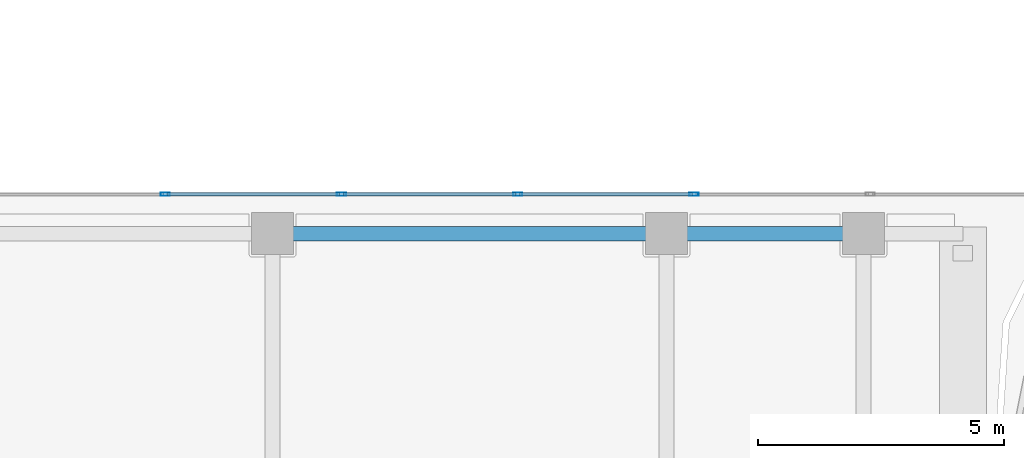
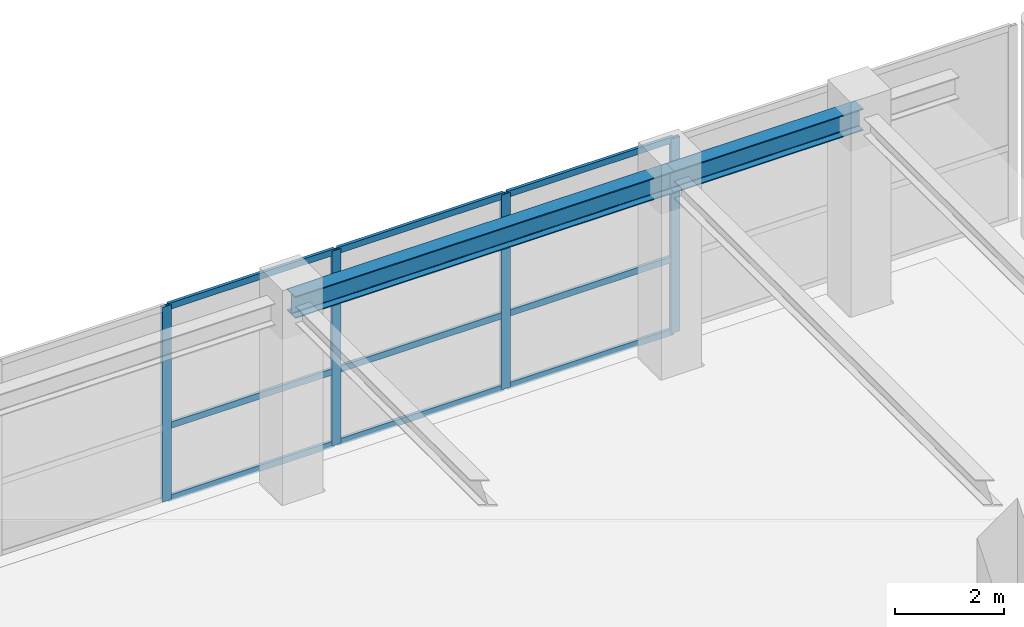
# One storey, part 22 of 44: 13 members, 2 beams, 1 element without a shape of its own.
"""IFC4 building model written with IfcOpenShell, lengths in metres."""

from ifc_helpers import new_model, si_unit, derived_unit, direction, frame, origin, origin_2d, place, context, subcontext, project, spatial, hollow_rectangle, i_section, extrude, source, transform, mapped, material, layer, layer_set, material_profile, profile_set, type_object, element, aggregate, save


model = new_model("IFC4")

# Units and contexts
model_context = context("Model", 3, precision=1e-05, world=origin(), true_north=direction((0.0, 1.0)))
body_context = subcontext(model_context, "Body", "Model", "MODEL_VIEW")
ifc_project = project(units=[si_unit("LENGTHUNIT", "METRE"), si_unit("AREAUNIT", "SQUARE_METRE"), si_unit("VOLUMEUNIT", "CUBIC_METRE"), si_unit("PLANEANGLEUNIT", "RADIAN"), si_unit("MASSUNIT", "GRAM", prefix="KILO"), derived_unit("THERMALTRANSMITTANCEUNIT", [(si_unit("POWERUNIT", "WATT"), 1), (si_unit("LENGTHUNIT", "METRE"), -2), (si_unit("THERMODYNAMICTEMPERATUREUNIT", "KELVIN"), -1)])], contexts=[model_context])

# Site, building, storey
site_placement = place(None, origin())
site = spatial("IfcSite", under=ifc_project, at=site_placement, CompositionType="ELEMENT")
building_placement = place(site_placement, origin())
building = spatial("IfcBuilding", under=site, at=building_placement, Name="Korsvarv Bourse and Concert Hall", CompositionType="ELEMENT")
storey_placement = place(building_placement, frame((0.0, 0.0, 9.60009765625)))
storey = spatial("IfcBuildingStorey", under=building, at=storey_placement, Name="L02", CompositionType="ELEMENT", Elevation=9.60009765625)

# Beams
ifc_material_1 = material(Name="Steel S355", Category="steel")
ifc_material_profile_1 = material_profile(ifc_material_1, i_section(OverallWidth=0.300048828125, OverallDepth=0.489990234375, WebThickness=0.011962890625, FlangeThickness=0.02294921875, FilletRadius=0.02392578125, at=origin_2d()), Name="HEA 500")
ifc_profile_set_1 = profile_set([ifc_material_profile_1], Name="Steel S355")
beam_type = type_object("IfcBeamType", Name="BM-HEA500", PredefinedType="BEAM", material=ifc_profile_set_1)
shared_shape_1 = source(origin(), body_context, "Body", "SweptSolid", [
    extrude(i_section(OverallWidth=0.300048828125, OverallDepth=0.489990234375, WebThickness=0.011962890625, FlangeThickness=0.02294921875, FilletRadius=0.02392578125, at=origin_2d()), origin(), (0.0, 0.0, 1.0), 8.0),
])
beam_1_placement = place(storey_placement, frame((75.5, 42.199951171875, 4.10498046875), z_axis=(1.0, 0.0, 0.0), x_axis=(0.0, 1.0, 0.0)))
element("IfcBeam", 1, at=beam_1_placement, inside=storey, type_object=beam_type, Name="L02 beam B-10", PredefinedType="BEAM", context=body_context, shape_type="MappedRepresentation", body=[
    mapped(shared_shape_1, transform((0.0, 0.0, 0.0), scale=1.0)),
])
shared_shape_2 = source(origin(), body_context, "Body", "SweptSolid", [
    extrude(i_section(OverallWidth=0.300048828125, OverallDepth=0.489990234375, WebThickness=0.011962890625, FlangeThickness=0.02294921875, FilletRadius=0.02392578125, at=origin_2d()), origin(), (0.0, 0.0, 1.0), 4.0),
])
beam_2_placement = place(storey_placement, frame((83.5, 42.199951171875, 4.10498046875), z_axis=(1.0, 0.0, 0.0), x_axis=(0.0, 1.0, 0.0)))
element("IfcBeam", 2, at=beam_2_placement, inside=storey, type_object=beam_type, Name="L02 beam B-10", PredefinedType="BEAM", context=body_context, shape_type="MappedRepresentation", body=[
    mapped(shared_shape_2, transform((0.0, 0.0, 0.0), scale=1.0)),
])

# Curtain wall, members
ifc_material_2 = material(Name="Anodised aluminium and triple low-E glazing", Category="glass")
ifc_layer = layer(ifc_material_2, 0.239990234375)
ifc_layer_set = layer_set([ifc_layer], Name="Anodised aluminium and triple low-E glazing")
curtain_wall_type = type_object("IfcCurtainWallType", Name="CW-SYS-5", PredefinedType="NOTDEFINED", material=ifc_layer_set)
curtain_wall_placement = place(storey_placement, origin())
curtain_wall = element("IfcCurtainWall", 3, at=curtain_wall_placement, inside=storey, type_object=curtain_wall_type, Name="L02 CW5 curtain wall CW-L02-LKN", PredefinedType="NOTDEFINED")
ifc_material_3 = material(Name="Extruded aluminium EN AW-6063 T66", Category="aluminium")
ifc_material_profile_2 = material_profile(ifc_material_3, hollow_rectangle(XDim=0.06494140625, YDim=0.139892578125, WallThickness=0.00390625, at=origin_2d()), Name="ALU-T 65x140")
ifc_profile_set_2 = profile_set([ifc_material_profile_2], Name="Extruded aluminium EN AW-6063 T66")
member_type_1 = type_object("IfcMemberType", Name="CWT-140", PredefinedType="USERDEFINED", material=ifc_profile_set_2)
shared_shape_3 = source(origin(), body_context, "Body", "SweptSolid", [
    extrude(hollow_rectangle(XDim=0.06494140625, YDim=0.139892578125, WallThickness=0.00390625, at=origin_2d()), origin(), (0.0, 0.0, 1.0), 3.510009765625),
])
member_1_placement = place(storey_placement, frame((73.35498046875, 43.0, 0.032470703125), z_axis=(1.0, 0.0, 0.0), x_axis=(0.0, 1.0, 0.0)))
member_1 = element("IfcMember", 4, at=member_1_placement, type_object=member_type_1, Name="CW5 transom 3.1", ObjectType="TRANSOM", PredefinedType="USERDEFINED", context=body_context, shape_type="MappedRepresentation", body=[
    mapped(shared_shape_3, transform((0.0, 0.0, 0.0), scale=1.0)),
])
member_2_placement = place(storey_placement, frame((73.35498046875, 43.0, 1.65283203125), z_axis=(1.0, 0.0, 0.0), x_axis=(0.0, 1.0, 0.0)))
member_2 = element("IfcMember", 5, at=member_2_placement, type_object=member_type_1, Name="CW5 transom 3.2", ObjectType="TRANSOM", PredefinedType="USERDEFINED", context=body_context, shape_type="MappedRepresentation", body=[
    mapped(shared_shape_3, transform((0.0, 0.0, 0.0), scale=1.0)),
])
member_3_placement = place(storey_placement, frame((73.35498046875, 43.0, 4.3173828125), z_axis=(1.0, 0.0, 0.0), x_axis=(0.0, 1.0, 0.0)))
member_3 = element("IfcMember", 6, at=member_3_placement, type_object=member_type_1, Name="CW5 transom 3.3", ObjectType="TRANSOM", PredefinedType="USERDEFINED", context=body_context, shape_type="MappedRepresentation", body=[
    mapped(shared_shape_3, transform((0.0, 0.0, 0.0), scale=1.0)),
])
member_4_placement = place(storey_placement, frame((76.93505859375, 43.0, 0.032470703125), z_axis=(1.0, 0.0, 0.0), x_axis=(0.0, 1.0, 0.0)))
member_4 = element("IfcMember", 7, at=member_4_placement, type_object=member_type_1, Name="CW5 transom 4.1", ObjectType="TRANSOM", PredefinedType="USERDEFINED", context=body_context, shape_type="MappedRepresentation", body=[
    mapped(shared_shape_3, transform((0.0, 0.0, 0.0), scale=1.0)),
])
member_5_placement = place(storey_placement, frame((76.93505859375, 43.0, 1.65283203125), z_axis=(1.0, 0.0, 0.0), x_axis=(0.0, 1.0, 0.0)))
member_5 = element("IfcMember", 8, at=member_5_placement, type_object=member_type_1, Name="CW5 transom 4.2", ObjectType="TRANSOM", PredefinedType="USERDEFINED", context=body_context, shape_type="MappedRepresentation", body=[
    mapped(shared_shape_3, transform((0.0, 0.0, 0.0), scale=1.0)),
])
member_6_placement = place(storey_placement, frame((76.93505859375, 43.0, 4.3173828125), z_axis=(1.0, 0.0, 0.0), x_axis=(0.0, 1.0, 0.0)))
member_6 = element("IfcMember", 9, at=member_6_placement, type_object=member_type_1, Name="CW5 transom 4.3", ObjectType="TRANSOM", PredefinedType="USERDEFINED", context=body_context, shape_type="MappedRepresentation", body=[
    mapped(shared_shape_3, transform((0.0, 0.0, 0.0), scale=1.0)),
])
member_7_placement = place(storey_placement, frame((80.514892578125, 43.0, 0.032470703125), z_axis=(1.0, 0.0, 0.0), x_axis=(0.0, 1.0, 0.0)))
member_7 = element("IfcMember", 10, at=member_7_placement, type_object=member_type_1, Name="CW5 transom 5.1", ObjectType="TRANSOM", PredefinedType="USERDEFINED", context=body_context, shape_type="MappedRepresentation", body=[
    mapped(shared_shape_3, transform((0.0, 0.0, 0.0), scale=1.0)),
])
member_8_placement = place(storey_placement, frame((80.514892578125, 43.0, 1.65283203125), z_axis=(1.0, 0.0, 0.0), x_axis=(0.0, 1.0, 0.0)))
member_8 = element("IfcMember", 11, at=member_8_placement, type_object=member_type_1, Name="CW5 transom 5.2", ObjectType="TRANSOM", PredefinedType="USERDEFINED", context=body_context, shape_type="MappedRepresentation", body=[
    mapped(shared_shape_3, transform((0.0, 0.0, 0.0), scale=1.0)),
])
member_9_placement = place(storey_placement, frame((80.514892578125, 43.0, 4.3173828125), z_axis=(1.0, 0.0, 0.0), x_axis=(0.0, 1.0, 0.0)))
member_9 = element("IfcMember", 12, at=member_9_placement, type_object=member_type_1, Name="CW5 transom 5.3", ObjectType="TRANSOM", PredefinedType="USERDEFINED", context=body_context, shape_type="MappedRepresentation", body=[
    mapped(shared_shape_3, transform((0.0, 0.0, 0.0), scale=1.0)),
])
ifc_material_profile_3 = material_profile(ifc_material_3, hollow_rectangle(XDim=0.070068359375, YDim=0.18994140625, WallThickness=0.0048828125, at=origin_2d()), Name="ALU-M 70x190")
ifc_profile_set_3 = profile_set([ifc_material_profile_3], Name="Extruded aluminium EN AW-6063 T66")
member_type_2 = type_object("IfcMemberType", Name="CWM-190", PredefinedType="MULLION", material=ifc_profile_set_3)
shared_shape_4 = source(origin(), body_context, "Body", "SweptSolid", [
    extrude(hollow_rectangle(XDim=0.070068359375, YDim=0.18994140625, WallThickness=0.0048828125, at=origin_2d()), origin(), (0.0, 0.0, 1.0), 4.349853515625),
])
member_10_placement = place(storey_placement, frame((73.320068359375, 43.0, 0.0), z_axis=(0.0, 0.0, 1.0), x_axis=(0.0, 1.0, 0.0)))
member_10 = element("IfcMember", 13, at=member_10_placement, type_object=member_type_2, Name="CW5 mullion 3", PredefinedType="MULLION", context=body_context, shape_type="MappedRepresentation", body=[
    mapped(shared_shape_4, transform((0.0, 0.0, 0.0), scale=1.0)),
])
member_11_placement = place(storey_placement, frame((76.89990234375, 43.0, 0.0), z_axis=(0.0, 0.0, 1.0), x_axis=(0.0, 1.0, 0.0)))
member_11 = element("IfcMember", 14, at=member_11_placement, type_object=member_type_2, Name="CW5 mullion 4", PredefinedType="MULLION", context=body_context, shape_type="MappedRepresentation", body=[
    mapped(shared_shape_4, transform((0.0, 0.0, 0.0), scale=1.0)),
])
member_12_placement = place(storey_placement, frame((80.47998046875, 43.0, 0.0), z_axis=(0.0, 0.0, 1.0), x_axis=(0.0, 1.0, 0.0)))
member_12 = element("IfcMember", 15, at=member_12_placement, type_object=member_type_2, Name="CW5 mullion 5", PredefinedType="MULLION", context=body_context, shape_type="MappedRepresentation", body=[
    mapped(shared_shape_4, transform((0.0, 0.0, 0.0), scale=1.0)),
])
member_13_placement = place(storey_placement, frame((84.06005859375, 43.0, 0.0), z_axis=(0.0, 0.0, 1.0), x_axis=(0.0, 1.0, 0.0)))
member_13 = element("IfcMember", 16, at=member_13_placement, type_object=member_type_2, Name="CW5 mullion 6", PredefinedType="MULLION", context=body_context, shape_type="MappedRepresentation", body=[
    mapped(shared_shape_4, transform((0.0, 0.0, 0.0), scale=1.0)),
])
aggregate(curtain_wall, [member_10, member_11, member_12, member_13, member_1, member_2, member_3, member_4, member_5, member_6, member_7, member_8, member_9])

save(model, "model.ifc")
